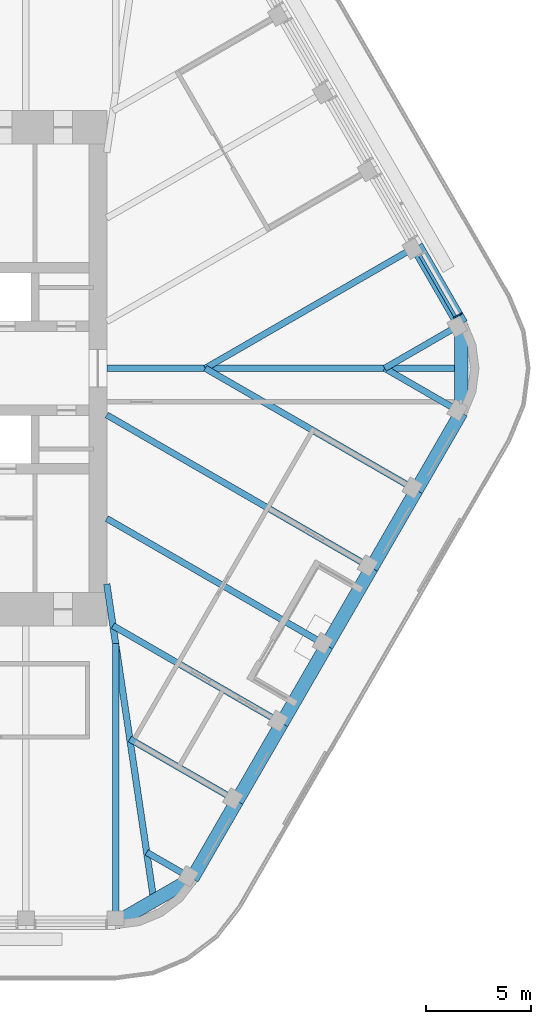
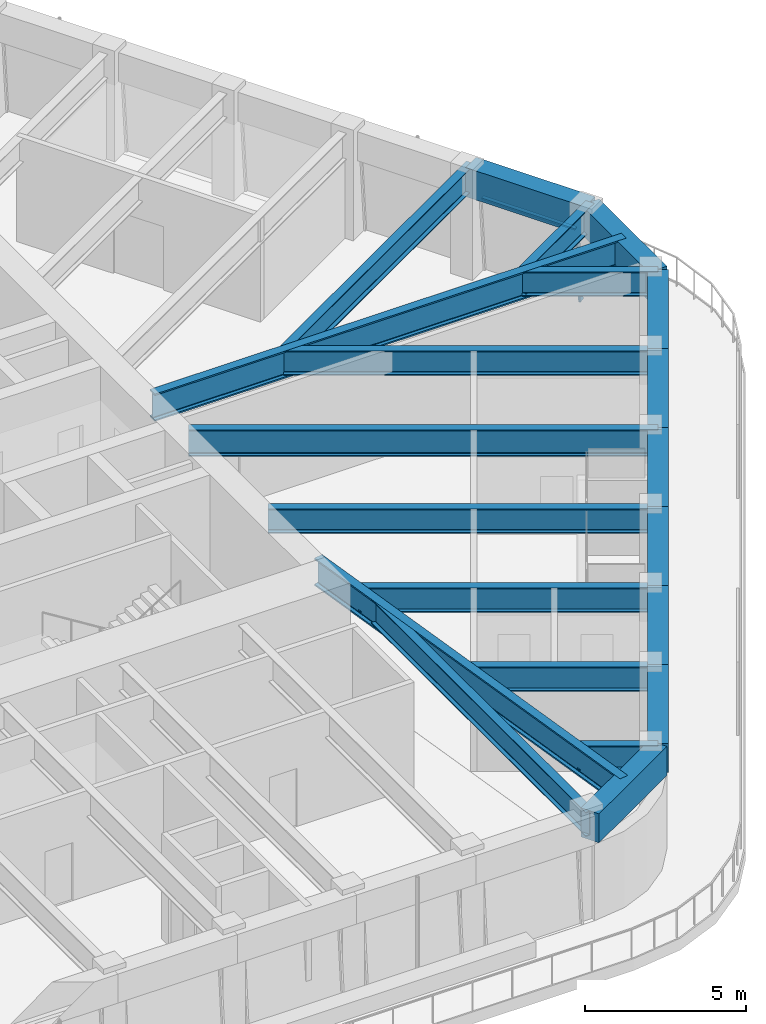
# One storey, part 5 of 20: 21 beams, 2 members, 1 element without a shape of its own.
"""IFC4 building model written with IfcOpenShell, lengths in metres."""

import ifcopenshell
import ifcopenshell.guid

model = None  # the IFC model being written
_history = None  # IfcOwnerHistory: only IFC2X3 demands one
_inside = {}  # id of a spatial element -> (the spatial element, [elements in it])
_under = {}  # id of a project, library or spatial element -> (it, [spatial elements below it])
_declared = {}  # id of a project -> (the project, [libraries it declares])
_typed = {}  # id of a type object -> (the type object, [elements of that type])
_made_of = {}  # id of a material, layer set ... -> (it, [elements and type objects made of it])


def new_model(schema):
    """Start an empty IFC model of exactly this schema.

    Asked for "IFC4X3", IfcOpenShell would pick the latest addendum, in which some entities
    have other attributes; the version numbers below select the first issue.
    IFC2X3 requires an IfcOwnerHistory on every rooted entity: one is made here for all.
    """
    global model, _history
    if schema == "IFC4X3":
        model = ifcopenshell.file(schema_version=(4, 3, 0, 0))
    else:
        model = ifcopenshell.file(schema=schema)
    _inside.clear()
    _under.clear()
    _declared.clear()
    _typed.clear()
    _made_of.clear()
    _history = None
    if model.schema == "IFC2X3":
        org = make("IfcOrganization", Name="unknown")
        user = make(
            "IfcPersonAndOrganization",
            ThePerson=make("IfcPerson", FamilyName="unknown"),
            TheOrganization=org,
        )
        app = make(
            "IfcApplication",
            ApplicationDeveloper=org,
            Version="unknown",
            ApplicationFullName="unknown",
            ApplicationIdentifier="unknown",
        )
        _history = make(
            "IfcOwnerHistory",
            OwningUser=user,
            OwningApplication=app,
            ChangeAction="ADDED",
            CreationDate=0,
        )
    return model


def make(cls, **values):
    """One entity of the class cls with the attributes given. An attribute that is None is left unset."""
    return model.create_entity(
        cls, **{name: value for name, value in values.items() if value is not None}
    )


def rooted(cls, **values):
    """An entity with a GlobalId (a new one), such as an element, a storey or a relation."""
    return make(cls, GlobalId=ifcopenshell.guid.new(), OwnerHistory=_history, **values)


def si_unit(unit_type, name, prefix=None):
    """IfcSIUnit, for example si_unit("LENGTHUNIT", "METRE", prefix="MILLI")."""
    return make("IfcSIUnit", UnitType=unit_type, Prefix=prefix, Name=name)


def assignment(units):
    """IfcUnitAssignment: the units of a project."""
    return None if units is None else make("IfcUnitAssignment", Units=units)


def point(xyz):
    """IfcCartesianPoint."""
    return None if xyz is None else make("IfcCartesianPoint", Coordinates=xyz)


def direction(xyz):
    """IfcDirection."""
    return None if xyz is None else make("IfcDirection", DirectionRatios=xyz)


def frame(location, z_axis=None, x_axis=None):
    """IfcAxis2Placement3D, a coordinate frame: its origin and axes. An axis left out is left unset."""
    return make(
        "IfcAxis2Placement3D",
        Location=point(location),
        Axis=direction(z_axis),
        RefDirection=direction(x_axis),
    )


def frame_2d(location, x_axis=None):
    """IfcAxis2Placement2D, a coordinate frame in the plane: its origin and x axis."""
    return make(
        "IfcAxis2Placement2D", Location=point(location), RefDirection=direction(x_axis)
    )


def origin():
    """The frame at (0, 0, 0) with its axes left unset."""
    return frame((0.0, 0.0, 0.0))


def origin_2d():
    """The frame at (0, 0) in the plane with its x axis left unset."""
    return frame_2d((0.0, 0.0))


def place(relative_to, where):
    """IfcLocalPlacement: puts the frame where relative to a parent placement (None: the world)."""
    return make(
        "IfcLocalPlacement", PlacementRelTo=relative_to, RelativePlacement=where
    )


def context(
    kind, dimensions, precision=None, world=None, true_north=None, identifier=None
):
    """IfcGeometricRepresentationContext, for example the 3D "Model" context."""
    return make(
        "IfcGeometricRepresentationContext",
        ContextIdentifier=identifier,
        ContextType=kind,
        CoordinateSpaceDimension=dimensions,
        Precision=precision,
        WorldCoordinateSystem=world,
        TrueNorth=true_north,
    )


def subcontext(parent, identifier, kind, view, scale=None):
    """IfcGeometricRepresentationSubContext, for example "Body" below "Model"."""
    return make(
        "IfcGeometricRepresentationSubContext",
        ContextIdentifier=identifier,
        ContextType=kind,
        ParentContext=parent,
        TargetScale=scale,
        TargetView=view,
    )


def project(units=None, contexts=None):
    """IfcProject with its units and contexts."""
    return rooted(
        "IfcProject",
        Name="project",
        RepresentationContexts=contexts,
        UnitsInContext=assignment(units),
    )


def spatial(cls, under=None, at=None, **own):
    """A site, building, storey or space (cls), placed at a placement, below another one or the project."""
    s = rooted(cls, ObjectPlacement=at, **own)
    if under is not None:
        _under.setdefault(under.id(), (under, []))[1].append(s)
    return s


def profile(cls, at=None, kind="AREA", **sizes):
    """A parametric profile (cls). Its sizes go by their IFC names, for example OverallWidth=200.0."""
    return make(cls, ProfileType=kind, Position=at, **sizes)


def rectangle(**sizes):
    """IfcRectangleProfileDef."""
    return profile("IfcRectangleProfileDef", **sizes)


def i_section(**sizes):
    """IfcIShapeProfileDef."""
    return profile("IfcIShapeProfileDef", **sizes)


def extrude(swept, where, along, depth):
    """IfcExtrudedAreaSolid: the profile swept, set in the frame where, extruded along a direction by depth."""
    return make(
        "IfcExtrudedAreaSolid",
        SweptArea=swept,
        Position=where,
        ExtrudedDirection=direction(along),
        Depth=depth,
    )


def shape(context_of_items, identifier, shape_type, items):
    """IfcShapeRepresentation: the items that make up one representation, for example the "Body"."""
    return make(
        "IfcShapeRepresentation",
        ContextOfItems=context_of_items,
        RepresentationIdentifier=identifier,
        RepresentationType=shape_type,
        Items=items,
    )


def material(Name=None, Category=None):
    """IfcMaterial."""
    return make("IfcMaterial", Name=Name, Category=Category)


def material_profile(
    of_material, cross_section, Name=None, Category=None, Priority=None
):
    """IfcMaterialProfile: a cross section and its material."""
    return make(
        "IfcMaterialProfile",
        Name=Name,
        Material=of_material,
        Profile=cross_section,
        Priority=Priority,
        Category=Category,
    )


def profile_set(profiles, Name=None, composite=None):
    """IfcMaterialProfileSet."""
    return make(
        "IfcMaterialProfileSet",
        Name=Name,
        MaterialProfiles=profiles,
        CompositeProfile=composite,
    )


def made_of(thing, what):
    """Note that an element or type object is made of a material, layer set ...; save() writes the relation."""
    if what is not None:
        _made_of.setdefault(what.id(), (what, []))[1].append(thing)
    return thing


def type_object(cls, material=None, **own):
    """A type object (cls), such as IfcWallType, which elements share."""
    return made_of(rooted(cls, **own), material)


def element(
    cls,
    number,
    at=None,
    inside=None,
    cuts=None,
    type_object=None,
    material=None,
    context=None,
    identifier="Body",
    shape_type=None,
    held_by="IfcProductDefinitionShape",
    body=None,
    shapes=None,
    **own,
):
    """One element of the class cls, such as IfcWall. Its Tag is "e" and its number.

    at: its placement. inside: the storey or other place that contains it. cuts: it is an
    opening in that element (IfcRelVoidsElement). A single representation is given by context,
    identifier, shape_type and body (its items); several are given by shapes. held_by: the class
    of the entity that holds the representations. save() writes the other relations.
    """
    e = rooted(cls, Tag="e%d" % number, ObjectPlacement=at, **own)
    if body is not None:
        shapes = [shape(context, identifier, shape_type, body)]
    if shapes is not None:
        e.Representation = make(held_by, Representations=shapes)
    if inside is not None:
        _inside.setdefault(inside.id(), (inside, []))[1].append(e)
    if cuts is not None:
        rooted(
            "IfcRelVoidsElement", RelatingBuildingElement=cuts, RelatedOpeningElement=e
        )
    if type_object is not None:
        _typed.setdefault(type_object.id(), (type_object, []))[1].append(e)
    return made_of(e, material)


def aggregate(whole, parts):
    """IfcRelAggregates: a whole, such as a stair, and the parts it consists of."""
    return rooted("IfcRelAggregates", RelatingObject=whole, RelatedObjects=parts)


def save(model, path):
    """Write the relations noted so far, then the file.

    IfcRelAggregates (storeys below a building ...), IfcRelContainedInSpatialStructure (elements
    in a storey), IfcRelDefinesByType, IfcRelAssociatesMaterial and IfcRelDeclares: one each for
    every whole, place, type object, material and project.
    """
    for whole, parts in _under.values():
        aggregate(whole, parts)
    for where, things in _inside.values():
        rooted(
            "IfcRelContainedInSpatialStructure",
            RelatedElements=things,
            RelatingStructure=where,
        )
    for kind, things in _typed.values():
        rooted("IfcRelDefinesByType", RelatedObjects=things, RelatingType=kind)
    for what, things in _made_of.values():
        rooted("IfcRelAssociatesMaterial", RelatedObjects=things, RelatingMaterial=what)
    for by, libraries in _declared.values():
        rooted("IfcRelDeclares", RelatingContext=by, RelatedDefinitions=libraries)
    model.write(path)


model = new_model("IFC4")

# Units and contexts
model_context = context("Model", 3, precision=1e-05, world=origin(), true_north=direction((0.0, 1.0)))
body_context = subcontext(model_context, "Body", "Model", "MODEL_VIEW")
ifc_project = project(units=[si_unit("LENGTHUNIT", "METRE"), si_unit("AREAUNIT", "SQUARE_METRE"), si_unit("VOLUMEUNIT", "CUBIC_METRE"), si_unit("PLANEANGLEUNIT", "RADIAN"), si_unit("MASSUNIT", "GRAM", prefix="KILO")], contexts=[model_context])

# Site, building, storey
site_placement = place(None, origin())
site = spatial("IfcSite", under=ifc_project, at=site_placement, CompositionType="ELEMENT")
building_placement = place(site_placement, origin())
building = spatial("IfcBuilding", under=site, at=building_placement, Name="Tarfa Lantern Tower", CompositionType="ELEMENT")
storey_placement = place(building_placement, frame((0.0, 0.0, 378.699951171875)))
storey = spatial("IfcBuildingStorey", under=building, at=storey_placement, Name="L86", CompositionType="ELEMENT", Elevation=378.699951171875)

# Curtain wall, members
ifc_material_1 = material(Name="Aluminium framed curtain wall", Category="aluminium")
curtain_wall_type = type_object("IfcCurtainWallType", Name="CW4 CANTED GLAZING EXECUTIVE ZONE 2900", PredefinedType="USERDEFINED", material=ifc_material_1)
curtain_wall_placement = place(storey_placement, origin())
curtain_wall = element("IfcCurtainWall", 1, at=curtain_wall_placement, inside=storey, type_object=curtain_wall_type, Name="CW4 NE L86", ObjectType="CURTAIN WALL", PredefinedType="USERDEFINED")
ifc_material_2 = material(Name="Aluminium mullion", Category="aluminium")
ifc_material_profile_1 = material_profile(ifc_material_2, rectangle(XDim=0.06494140625, YDim=0.199951171875, at=origin_2d()), Name="AL MULLION 65x200")
ifc_profile_set_1 = profile_set([ifc_material_profile_1], Name="Aluminium mullion")
member_type_1 = type_object("IfcMemberType", Name="CWM1 MULLION 65x200", PredefinedType="MULLION", material=ifc_profile_set_1)
member_1_placement = place(storey_placement, frame((29.286376953125, 2.574462890625, 0.0), z_axis=(-0.074393603155, -0.042941967097, 0.996303959277), x_axis=(0.499919672301, -0.866071776036, 0.0)))
member_1 = element("IfcMember", 2, at=member_1_placement, type_object=member_type_1, Name="CW4 mullion 1", PredefinedType="MULLION", context=body_context, shape_type="SweptSolid", body=[
    extrude(rectangle(XDim=0.06494140625, YDim=0.199951171875, at=origin_2d()), origin(), (0.0, 0.0, 1.0), 2.910888671875),
])
ifc_material_3 = material(Name="Aluminium transom", Category="aluminium")
ifc_material_profile_2 = material_profile(ifc_material_3, rectangle(XDim=0.14990234375, YDim=0.06494140625, at=origin_2d()), Name="AL TRANSOM 150x65")
ifc_profile_set_2 = profile_set([ifc_material_profile_2], Name="Aluminium transom")
member_type_2 = type_object("IfcMemberType", Name="CWT1 TRANSOM 150x65", PredefinedType="USERDEFINED", material=ifc_profile_set_2)
member_2_placement = place(storey_placement, frame((29.055908203125, 2.47900390625, 2.867431640625), z_axis=(-0.499930512259, 0.866065518833, 0.0), x_axis=(-0.866065518833, -0.499930512259, 0.0)))
member_2 = element("IfcMember", 3, at=member_2_placement, type_object=member_type_2, Name="CW4 transom 1.2", ObjectType="TRANSOM", PredefinedType="USERDEFINED", context=body_context, shape_type="SweptSolid", body=[
    extrude(rectangle(XDim=0.14990234375, YDim=0.06494140625, at=origin_2d()), origin(), (0.0, 0.0, 1.0), 3.35205078125),
])
aggregate(curtain_wall, [member_1, member_2])

# Beams
ifc_material_4 = material(Name="Concrete C80/95", Category="concrete")
ifc_material_profile_3 = material_profile(ifc_material_4, rectangle(XDim=0.64990234375, YDim=1.10009765625, at=origin_2d()), Name="RC 650x1100")
ifc_profile_set_3 = profile_set([ifc_material_profile_3], Name="Concrete C80/95")
beam_type_1 = type_object("IfcBeamType", Name="EB4 RC 650x1100", PredefinedType="SPANDREL", material=ifc_profile_set_3)
beam_1_placement = place(storey_placement, frame((29.3466796875, 2.110107421875, 3.449951171875), z_axis=(-0.499984039138, 0.866034618596, 0.0), x_axis=(-0.866034618596, -0.499984039138, 0.0)))
element("IfcBeam", 4, at=beam_1_placement, inside=storey, type_object=beam_type_1, Name="Edge beam NE0", PredefinedType="SPANDREL", context=body_context, shape_type="SweptSolid", body=[
    extrude(rectangle(XDim=0.64990234375, YDim=1.10009765625, at=origin_2d()), origin(), (0.0, 0.0, 1.0), 4.281982421875),
])
beam_2_placement = place(storey_placement, frame((12.845947265625, -26.469970703125, 3.449951171875), z_axis=(0.866048788483, 0.499959494327, 0.0), x_axis=(-0.499959494327, 0.866048788483, 0.0)))
element("IfcBeam", 5, at=beam_2_placement, inside=storey, type_object=beam_type_1, Name="Edge beam S6", PredefinedType="SPANDREL", context=body_context, shape_type="SweptSolid", body=[
    extrude(rectangle(XDim=0.64990234375, YDim=1.10009765625, at=origin_2d()), origin(), (0.0, 0.0, 1.0), 4.219970703125),
])
for number, where, z_axis, x_axis, name in (
    (6, (16.500732421875, -24.360107421875, 3.449951171875), (0.499959351497, 0.866048870937, 0.0), (-0.866048870937, 0.499959351497, 0.0), "Edge beam SE0"),
    (7, (18.6416015625, -20.651611328125, 3.449951171875), (0.500026801138, 0.866009929587, 0.0), (-0.866009929587, 0.500026801138, 0.0), "Edge beam SE1"),
    (8, (20.78271484375, -16.943359375, 3.449951171875), (0.499984039138, 0.866034618596, 0.0), (-0.866034618596, 0.499984039138, 0.0), "Edge beam SE2"),
):
    element("IfcBeam", number, at=place(storey_placement, frame(where, z_axis=z_axis, x_axis=x_axis)), inside=storey, type_object=beam_type_1, Name=name, PredefinedType="SPANDREL", context=body_context, shape_type="SweptSolid", body=[
        extrude(rectangle(XDim=0.64990234375, YDim=1.10009765625, at=origin_2d()), origin(), (0.0, 0.0, 1.0), 4.281982421875),
    ])
beam_3_placement = place(storey_placement, frame((22.923583984375, -13.235107421875, 3.449951171875), z_axis=(0.500002112793, 0.866024183959, 0.0), x_axis=(-0.866024183959, 0.500002112793, 0.0)))
element("IfcBeam", 9, at=beam_3_placement, inside=storey, type_object=beam_type_1, Name="Edge beam SE3", PredefinedType="SPANDREL", context=body_context, shape_type="SweptSolid", body=[
    extrude(rectangle(XDim=0.64990234375, YDim=1.10009765625, at=origin_2d()), origin(), (0.0, 0.0, 1.0), 4.2822265625),
])
for number, where, z_axis, x_axis, name in (
    (10, (25.064697265625, -9.526611328125, 3.449951171875), (0.500026801138, 0.866009929587, 0.0), (-0.866009929587, 0.500026801138, 0.0), "Edge beam SE4"),
    (11, (27.205810546875, -5.818359375, 3.449951171875), (0.499984039138, 0.866034618596, 0.0), (-0.866034618596, 0.499984039138, 0.0), "Edge beam SE5"),
):
    element("IfcBeam", number, at=place(storey_placement, frame(where, z_axis=z_axis, x_axis=x_axis)), inside=storey, type_object=beam_type_1, Name=name, PredefinedType="SPANDREL", context=body_context, shape_type="SweptSolid", body=[
        extrude(rectangle(XDim=0.64990234375, YDim=1.10009765625, at=origin_2d()), origin(), (0.0, 0.0, 1.0), 4.281982421875),
    ])
beam_4_placement = place(storey_placement, frame((29.3466796875, -2.110107421875, 3.449951171875), z_axis=(0.0, 1.0, 0.0), x_axis=(-1.0, 0.0, 0.0)))
element("IfcBeam", 12, at=beam_4_placement, inside=storey, type_object=beam_type_1, Name="Edge beam SE6", PredefinedType="SPANDREL", context=body_context, shape_type="SweptSolid", body=[
    extrude(rectangle(XDim=0.64990234375, YDim=1.10009765625, at=origin_2d()), origin(), (0.0, 0.0, 1.0), 4.22021484375),
])
ifc_material_5 = material(Name="Steel S460M", Category="steel")
ifc_material_profile_4 = material_profile(ifc_material_5, i_section(OverallWidth=0.302001953125, OverallDepth=1.008056640625, WebThickness=0.02099609375, FlangeThickness=0.0400390625, FilletRadius=0.030029296875, at=origin_2d()), Name="UB1016x305x349")
ifc_profile_set_4 = profile_set([ifc_material_profile_4], Name="Steel S460M")
beam_type_2 = type_object("IfcBeamType", Name="UB1016x305x349", PredefinedType="BEAM", material=ifc_profile_set_4)
beam_5_placement = place(storey_placement, frame((25.064697265625, -9.526611328125, 3.49609375), z_axis=(-0.866029591389, 0.499992746786, 0.0), x_axis=(-0.499992746786, -0.866029591389, 0.0)))
element("IfcBeam", 13, at=beam_5_placement, inside=storey, type_object=beam_type_2, Name="Floor beam SE4", PredefinedType="BEAM", context=body_context, shape_type="SweptSolid", body=[
    extrude(i_section(OverallWidth=0.302001953125, OverallDepth=1.008056640625, WebThickness=0.02099609375, FlangeThickness=0.0400390625, FilletRadius=0.030029296875, at=origin_2d()), origin(), (0.0, 0.0, 1.0), 14.594970703125),
])
ifc_material_profile_5 = material_profile(ifc_material_5, i_section(OverallWidth=0.30859375, OverallDepth=1.036376953125, WebThickness=0.030029296875, FlangeThickness=0.05419921875, FilletRadius=0.030029296875, at=origin_2d()), Name="UB1016x305x487")
ifc_profile_set_5 = profile_set([ifc_material_profile_5], Name="Steel S460M")
beam_type_3 = type_object("IfcBeamType", Name="UB1016x305x487", PredefinedType="BEAM", material=ifc_profile_set_5)
beam_6_placement = place(storey_placement, frame((12.425048828125, 0.0, 3.48193359375), z_axis=(1.0, 0.0, 0.0), x_axis=(0.0, 1.0, 0.0)))
element("IfcBeam", 14, at=beam_6_placement, inside=storey, type_object=beam_type_3, Name="Hip girder E", PredefinedType="BEAM", context=body_context, shape_type="SweptSolid", body=[
    extrude(i_section(OverallWidth=0.30859375, OverallDepth=1.036376953125, WebThickness=0.030029296875, FlangeThickness=0.05419921875, FilletRadius=0.030029296875, at=origin_2d()), origin(), (0.0, 0.0, 1.0), 16.921630859375),
])
beam_7_placement = place(storey_placement, frame((12.425048828125, -10.300048828125, 3.48193359375), z_axis=(0.147127069073, -0.989117599452, 0.0), x_axis=(0.989117599452, 0.147127069073, 0.0)))
element("IfcBeam", 15, at=beam_7_placement, inside=storey, type_object=beam_type_3, Name="Hip girder SE", PredefinedType="BEAM", context=body_context, shape_type="SweptSolid", body=[
    extrude(i_section(OverallWidth=0.30859375, OverallDepth=1.036376953125, WebThickness=0.030029296875, FlangeThickness=0.05419921875, FilletRadius=0.030029296875, at=origin_2d()), origin(), (0.0, 0.0, 1.0), 15.28125),
])
ifc_material_profile_6 = material_profile(ifc_material_5, i_section(OverallWidth=0.305419921875, OverallDepth=0.91845703125, WebThickness=0.017333984375, FlangeThickness=0.02783203125, FilletRadius=0.01904296875, at=origin_2d()), Name="UB914x305x253")
ifc_profile_set_6 = profile_set([ifc_material_profile_6], Name="Steel S460M")
beam_type_4 = type_object("IfcBeamType", Name="UB914x305x253", PredefinedType="BEAM", material=ifc_profile_set_6)
beam_8_placement = place(storey_placement, frame((29.3466796875, 2.110107421875, 3.540771484375), z_axis=(-0.866009274789, -0.500027935199, 0.0), x_axis=(0.500027935199, -0.866009274789, 0.0)))
element("IfcBeam", 16, at=beam_8_placement, inside=storey, type_object=beam_type_4, Name="Floor beam NE0", PredefinedType="BEAM", context=body_context, shape_type="SweptSolid", body=[
    extrude(i_section(OverallWidth=0.305419921875, OverallDepth=0.91845703125, WebThickness=0.017333984375, FlangeThickness=0.02783203125, FilletRadius=0.01904296875, at=origin_2d()), origin(), (0.0, 0.0, 1.0), 4.219970703125),
])
beam_9_placement = place(storey_placement, frame((27.205810546875, 5.818359375, 3.540771484375), z_axis=(-0.866024171998, -0.500002133511, 0.0), x_axis=(0.500002133511, -0.866024171998, 0.0)))
element("IfcBeam", 17, at=beam_9_placement, inside=storey, type_object=beam_type_4, Name="Floor beam NE1", PredefinedType="BEAM", context=body_context, shape_type="SweptSolid", body=[
    extrude(i_section(OverallWidth=0.305419921875, OverallDepth=0.91845703125, WebThickness=0.017333984375, FlangeThickness=0.02783203125, FilletRadius=0.01904296875, at=origin_2d()), origin(), (0.0, 0.0, 1.0), 11.63671875),
])
beam_10_placement = place(storey_placement, frame((12.845947265625, -26.469970703125, 3.540771484375), z_axis=(0.0, 1.0, 0.0), x_axis=(-1.0, 0.0, 0.0)))
element("IfcBeam", 18, at=beam_10_placement, inside=storey, type_object=beam_type_4, Name="Floor beam S6", PredefinedType="BEAM", context=body_context, shape_type="SweptSolid", body=[
    extrude(i_section(OverallWidth=0.305419921875, OverallDepth=0.91845703125, WebThickness=0.017333984375, FlangeThickness=0.02783203125, FilletRadius=0.01904296875, at=origin_2d()), origin(), (0.0, 0.0, 1.0), 13.33935546875),
])
beam_11_placement = place(storey_placement, frame((16.500732421875, -24.360107421875, 3.540771484375), z_axis=(-0.865992557167, 0.500056887695, 0.0), x_axis=(-0.500056887695, -0.865992557167, 0.0)))
element("IfcBeam", 19, at=beam_11_placement, inside=storey, type_object=beam_type_4, Name="Floor beam SE0", PredefinedType="BEAM", context=body_context, shape_type="SweptSolid", body=[
    extrude(i_section(OverallWidth=0.305419921875, OverallDepth=0.91845703125, WebThickness=0.017333984375, FlangeThickness=0.02783203125, FilletRadius=0.01904296875, at=origin_2d()), origin(), (0.0, 0.0, 1.0), 2.506591796875),
])
beam_12_placement = place(storey_placement, frame((18.6416015625, -20.651611328125, 3.540771484375), z_axis=(-0.866024549157, 0.500001480256, 0.0), x_axis=(-0.500001480256, -0.866024549157, 0.0)))
element("IfcBeam", 20, at=beam_12_placement, inside=storey, type_object=beam_type_4, Name="Floor beam SE1", PredefinedType="BEAM", context=body_context, shape_type="SweptSolid", body=[
    extrude(i_section(OverallWidth=0.305419921875, OverallDepth=0.91845703125, WebThickness=0.017333984375, FlangeThickness=0.02783203125, FilletRadius=0.01904296875, at=origin_2d()), origin(), (0.0, 0.0, 1.0), 5.90771484375),
])
beam_13_placement = place(storey_placement, frame((20.78271484375, -16.943359375, 3.540771484375), z_axis=(-0.866021806508, 0.500006230613, 0.0), x_axis=(-0.500006230613, -0.866021806508, 0.0)))
element("IfcBeam", 21, at=beam_13_placement, inside=storey, type_object=beam_type_4, Name="Floor beam SE2", PredefinedType="BEAM", context=body_context, shape_type="SweptSolid", body=[
    extrude(i_section(OverallWidth=0.305419921875, OverallDepth=0.91845703125, WebThickness=0.017333984375, FlangeThickness=0.02783203125, FilletRadius=0.01904296875, at=origin_2d()), origin(), (0.0, 0.0, 1.0), 9.30908203125),
])
beam_14_placement = place(storey_placement, frame((22.923583984375, -13.235107421875, 3.540771484375), z_axis=(-0.86601856927, 0.500011837539, 0.0), x_axis=(-0.500011837539, -0.86601856927, 0.0)))
element("IfcBeam", 22, at=beam_14_placement, inside=storey, type_object=beam_type_4, Name="Floor beam SE3", PredefinedType="BEAM", context=body_context, shape_type="SweptSolid", body=[
    extrude(i_section(OverallWidth=0.305419921875, OverallDepth=0.91845703125, WebThickness=0.017333984375, FlangeThickness=0.02783203125, FilletRadius=0.01904296875, at=origin_2d()), origin(), (0.0, 0.0, 1.0), 12.122802734375),
])
beam_15_placement = place(storey_placement, frame((27.205810546875, -5.818359375, 3.540771484375), z_axis=(-0.866024171998, 0.500002133511, 0.0), x_axis=(-0.500002133511, -0.866024171998, 0.0)))
element("IfcBeam", 23, at=beam_15_placement, inside=storey, type_object=beam_type_4, Name="Floor beam SE5", PredefinedType="BEAM", context=body_context, shape_type="SweptSolid", body=[
    extrude(i_section(OverallWidth=0.305419921875, OverallDepth=0.91845703125, WebThickness=0.017333984375, FlangeThickness=0.02783203125, FilletRadius=0.01904296875, at=origin_2d()), origin(), (0.0, 0.0, 1.0), 11.63671875),
])
beam_16_placement = place(storey_placement, frame((29.3466796875, -2.110107421875, 3.540771484375), z_axis=(-0.866009274789, 0.500027935199, 0.0), x_axis=(-0.500027935199, -0.866009274789, 0.0)))
element("IfcBeam", 24, at=beam_16_placement, inside=storey, type_object=beam_type_4, Name="Floor beam SE6", PredefinedType="BEAM", context=body_context, shape_type="SweptSolid", body=[
    extrude(i_section(OverallWidth=0.305419921875, OverallDepth=0.91845703125, WebThickness=0.017333984375, FlangeThickness=0.02783203125, FilletRadius=0.01904296875, at=origin_2d()), origin(), (0.0, 0.0, 1.0), 4.219970703125),
])

save(model, "model.ifc")
